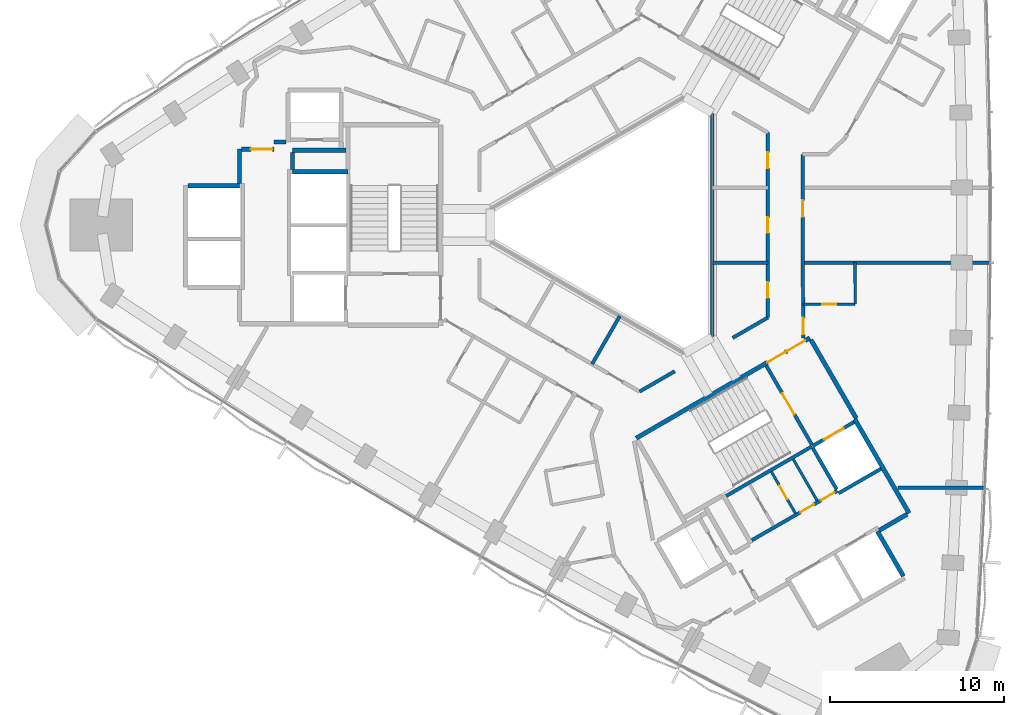
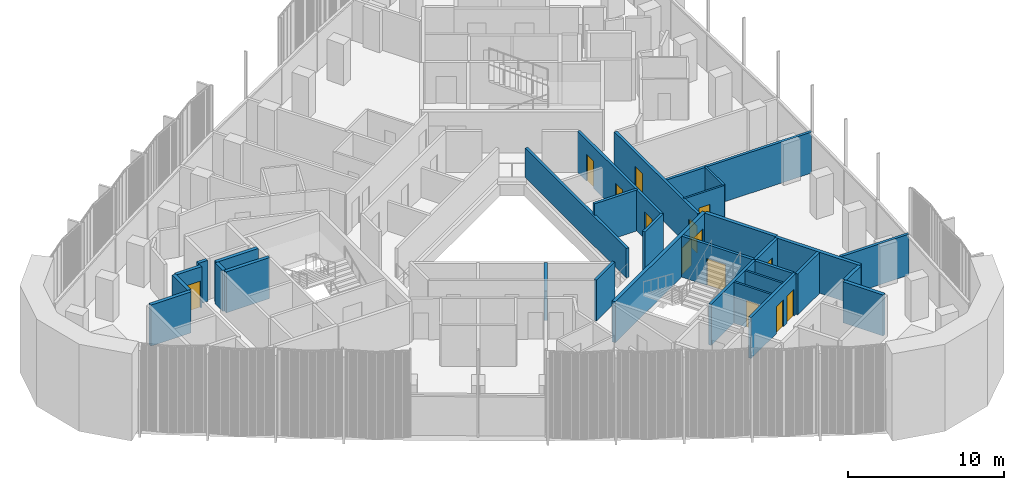
# One storey, part 9 of 15: 31 walls, 14 doors, 14 openings.
"""IFC4 building model written with IfcOpenShell, lengths in metres."""

import ifcopenshell
import ifcopenshell.guid

model = None  # the IFC model being written
_history = None  # IfcOwnerHistory: only IFC2X3 demands one
_inside = {}  # id of a spatial element -> (the spatial element, [elements in it])
_under = {}  # id of a project, library or spatial element -> (it, [spatial elements below it])
_declared = {}  # id of a project -> (the project, [libraries it declares])
_typed = {}  # id of a type object -> (the type object, [elements of that type])
_made_of = {}  # id of a material, layer set ... -> (it, [elements and type objects made of it])


def new_model(schema):
    """Start an empty IFC model of exactly this schema.

    Asked for "IFC4X3", IfcOpenShell would pick the latest addendum, in which some entities
    have other attributes; the version numbers below select the first issue.
    IFC2X3 requires an IfcOwnerHistory on every rooted entity: one is made here for all.
    """
    global model, _history
    if schema == "IFC4X3":
        model = ifcopenshell.file(schema_version=(4, 3, 0, 0))
    else:
        model = ifcopenshell.file(schema=schema)
    _inside.clear()
    _under.clear()
    _declared.clear()
    _typed.clear()
    _made_of.clear()
    _history = None
    if model.schema == "IFC2X3":
        org = make("IfcOrganization", Name="unknown")
        user = make(
            "IfcPersonAndOrganization",
            ThePerson=make("IfcPerson", FamilyName="unknown"),
            TheOrganization=org,
        )
        app = make(
            "IfcApplication",
            ApplicationDeveloper=org,
            Version="unknown",
            ApplicationFullName="unknown",
            ApplicationIdentifier="unknown",
        )
        _history = make(
            "IfcOwnerHistory",
            OwningUser=user,
            OwningApplication=app,
            ChangeAction="ADDED",
            CreationDate=0,
        )
    return model


def make(cls, **values):
    """One entity of the class cls with the attributes given. An attribute that is None is left unset."""
    return model.create_entity(
        cls, **{name: value for name, value in values.items() if value is not None}
    )


def rooted(cls, **values):
    """An entity with a GlobalId (a new one), such as an element, a storey or a relation."""
    return make(cls, GlobalId=ifcopenshell.guid.new(), OwnerHistory=_history, **values)


def si_unit(unit_type, name, prefix=None):
    """IfcSIUnit, for example si_unit("LENGTHUNIT", "METRE", prefix="MILLI")."""
    return make("IfcSIUnit", UnitType=unit_type, Prefix=prefix, Name=name)


def assignment(units):
    """IfcUnitAssignment: the units of a project."""
    return None if units is None else make("IfcUnitAssignment", Units=units)


def point(xyz):
    """IfcCartesianPoint."""
    return None if xyz is None else make("IfcCartesianPoint", Coordinates=xyz)


def direction(xyz):
    """IfcDirection."""
    return None if xyz is None else make("IfcDirection", DirectionRatios=xyz)


def frame(location, z_axis=None, x_axis=None):
    """IfcAxis2Placement3D, a coordinate frame: its origin and axes. An axis left out is left unset."""
    return make(
        "IfcAxis2Placement3D",
        Location=point(location),
        Axis=direction(z_axis),
        RefDirection=direction(x_axis),
    )


def frame_2d(location, x_axis=None):
    """IfcAxis2Placement2D, a coordinate frame in the plane: its origin and x axis."""
    return make(
        "IfcAxis2Placement2D", Location=point(location), RefDirection=direction(x_axis)
    )


def origin():
    """The frame at (0, 0, 0) with its axes left unset."""
    return frame((0.0, 0.0, 0.0))


def place(relative_to, where):
    """IfcLocalPlacement: puts the frame where relative to a parent placement (None: the world)."""
    return make(
        "IfcLocalPlacement", PlacementRelTo=relative_to, RelativePlacement=where
    )


def context(
    kind, dimensions, precision=None, world=None, true_north=None, identifier=None
):
    """IfcGeometricRepresentationContext, for example the 3D "Model" context."""
    return make(
        "IfcGeometricRepresentationContext",
        ContextIdentifier=identifier,
        ContextType=kind,
        CoordinateSpaceDimension=dimensions,
        Precision=precision,
        WorldCoordinateSystem=world,
        TrueNorth=true_north,
    )


def subcontext(parent, identifier, kind, view, scale=None):
    """IfcGeometricRepresentationSubContext, for example "Body" below "Model"."""
    return make(
        "IfcGeometricRepresentationSubContext",
        ContextIdentifier=identifier,
        ContextType=kind,
        ParentContext=parent,
        TargetScale=scale,
        TargetView=view,
    )


def project(units=None, contexts=None):
    """IfcProject with its units and contexts."""
    return rooted(
        "IfcProject",
        Name="project",
        RepresentationContexts=contexts,
        UnitsInContext=assignment(units),
    )


def spatial(cls, under=None, at=None, **own):
    """A site, building, storey or space (cls), placed at a placement, below another one or the project."""
    s = rooted(cls, ObjectPlacement=at, **own)
    if under is not None:
        _under.setdefault(under.id(), (under, []))[1].append(s)
    return s


def profile(cls, at=None, kind="AREA", **sizes):
    """A parametric profile (cls). Its sizes go by their IFC names, for example OverallWidth=200.0."""
    return make(cls, ProfileType=kind, Position=at, **sizes)


def rectangle(**sizes):
    """IfcRectangleProfileDef."""
    return profile("IfcRectangleProfileDef", **sizes)


def extrude(swept, where, along, depth):
    """IfcExtrudedAreaSolid: the profile swept, set in the frame where, extruded along a direction by depth."""
    return make(
        "IfcExtrudedAreaSolid",
        SweptArea=swept,
        Position=where,
        ExtrudedDirection=direction(along),
        Depth=depth,
    )


def shape(context_of_items, identifier, shape_type, items):
    """IfcShapeRepresentation: the items that make up one representation, for example the "Body"."""
    return make(
        "IfcShapeRepresentation",
        ContextOfItems=context_of_items,
        RepresentationIdentifier=identifier,
        RepresentationType=shape_type,
        Items=items,
    )


def material(Name=None, Category=None):
    """IfcMaterial."""
    return make("IfcMaterial", Name=Name, Category=Category)


def layer(
    of_material, thickness, ventilated=None, Name=None, Category=None, Priority=None
):
    """IfcMaterialLayer: one layer of a wall or slab, of a material (None: an air gap)."""
    return make(
        "IfcMaterialLayer",
        Material=of_material,
        LayerThickness=thickness,
        IsVentilated=ventilated,
        Name=Name,
        Category=Category,
        Priority=Priority,
    )


def layer_set(layers, Name=None):
    """IfcMaterialLayerSet."""
    return make("IfcMaterialLayerSet", MaterialLayers=layers, LayerSetName=Name)


def made_of(thing, what):
    """Note that an element or type object is made of a material, layer set ...; save() writes the relation."""
    if what is not None:
        _made_of.setdefault(what.id(), (what, []))[1].append(thing)
    return thing


def type_object(cls, material=None, **own):
    """A type object (cls), such as IfcWallType, which elements share."""
    return made_of(rooted(cls, **own), material)


def element(
    cls,
    number,
    at=None,
    inside=None,
    cuts=None,
    type_object=None,
    material=None,
    context=None,
    identifier="Body",
    shape_type=None,
    held_by="IfcProductDefinitionShape",
    body=None,
    shapes=None,
    **own,
):
    """One element of the class cls, such as IfcWall. Its Tag is "e" and its number.

    at: its placement. inside: the storey or other place that contains it. cuts: it is an
    opening in that element (IfcRelVoidsElement). A single representation is given by context,
    identifier, shape_type and body (its items); several are given by shapes. held_by: the class
    of the entity that holds the representations. save() writes the other relations.
    """
    e = rooted(cls, Tag="e%d" % number, ObjectPlacement=at, **own)
    if body is not None:
        shapes = [shape(context, identifier, shape_type, body)]
    if shapes is not None:
        e.Representation = make(held_by, Representations=shapes)
    if inside is not None:
        _inside.setdefault(inside.id(), (inside, []))[1].append(e)
    if cuts is not None:
        rooted(
            "IfcRelVoidsElement", RelatingBuildingElement=cuts, RelatedOpeningElement=e
        )
    if type_object is not None:
        _typed.setdefault(type_object.id(), (type_object, []))[1].append(e)
    return made_of(e, material)


def fill(opening, filler):
    """IfcRelFillsElement: the door or window that sits in an opening."""
    return rooted(
        "IfcRelFillsElement",
        RelatingOpeningElement=opening,
        RelatedBuildingElement=filler,
    )


def aggregate(whole, parts):
    """IfcRelAggregates: a whole, such as a stair, and the parts it consists of."""
    return rooted("IfcRelAggregates", RelatingObject=whole, RelatedObjects=parts)


def save(model, path):
    """Write the relations noted so far, then the file.

    IfcRelAggregates (storeys below a building ...), IfcRelContainedInSpatialStructure (elements
    in a storey), IfcRelDefinesByType, IfcRelAssociatesMaterial and IfcRelDeclares: one each for
    every whole, place, type object, material and project.
    """
    for whole, parts in _under.values():
        aggregate(whole, parts)
    for where, things in _inside.values():
        rooted(
            "IfcRelContainedInSpatialStructure",
            RelatedElements=things,
            RelatingStructure=where,
        )
    for kind, things in _typed.values():
        rooted("IfcRelDefinesByType", RelatedObjects=things, RelatingType=kind)
    for what, things in _made_of.values():
        rooted("IfcRelAssociatesMaterial", RelatedObjects=things, RelatingMaterial=what)
    for by, libraries in _declared.values():
        rooted("IfcRelDeclares", RelatingContext=by, RelatedDefinitions=libraries)
    model.write(path)


model = new_model("IFC4")

# Units and contexts
model_context = context("Model", 3, precision=1e-05, world=origin(), true_north=direction((0.0, 1.0)))
body_context = subcontext(model_context, "Body", "Model", "MODEL_VIEW")
ifc_project = project(units=[si_unit("LENGTHUNIT", "METRE"), si_unit("AREAUNIT", "SQUARE_METRE"), si_unit("VOLUMEUNIT", "CUBIC_METRE"), si_unit("PLANEANGLEUNIT", "RADIAN"), si_unit("MASSUNIT", "GRAM", prefix="KILO")], contexts=[model_context])

# Site, building, storey
site_placement = place(None, origin())
site = spatial("IfcSite", under=ifc_project, at=site_placement, CompositionType="ELEMENT")
building_placement = place(site_placement, origin())
building = spatial("IfcBuilding", under=site, at=building_placement, Name="Tamra Quay Hotel Tower", CompositionType="ELEMENT")
storey_placement = place(building_placement, frame((0.0, 0.0, 157.60009765625)))
storey = spatial("IfcBuildingStorey", under=building, at=storey_placement, Name="L39", CompositionType="ELEMENT", Elevation=157.60009765625)

# Wall
ifc_material_1 = material(Name="Concrete M70", Category="concrete")
ifc_layer_1 = layer(ifc_material_1, 0.199951171875)
ifc_layer_set_1 = layer_set([ifc_layer_1], Name="Concrete M70 core wall 200")
wall_type_1 = type_object("IfcWallType", Name="Concrete M70 core wall 200", PredefinedType="SHEAR", material=ifc_layer_set_1)
wall_1_placement = place(storey_placement, frame((10.537841796875, -12.751953125, 0.0), z_axis=(0.0, 0.0, 1.0), x_axis=(-0.866038630372, -0.499977090179, 0.0)))
element("IfcWall", 1, at=wall_1_placement, inside=storey, type_object=wall_type_1, Name="CW2", PredefinedType="SHEAR", context=body_context, shape_type="SweptSolid", body=[
    extrude(rectangle(XDim=5.698974609375, YDim=0.199951171875, at=frame_2d((2.849609375, 0.0))), origin(), (0.0, 0.0, 1.0), 3.199951171875),
])

# Wall, openings, doors
wall_2_placement = place(storey_placement, frame((7.0771484375, -18.156005859375, 0.0), z_axis=(0.0, 0.0, 1.0), x_axis=(0.866038630372, 0.499977090179, 0.0)))
wall_2 = element("IfcWall", 2, at=wall_2_placement, inside=storey, type_object=wall_type_1, Name="CW2", PredefinedType="SHEAR", context=body_context, shape_type="SweptSolid", body=[
    extrude(rectangle(XDim=5.698974609375, YDim=0.199951171875, at=frame_2d((2.849609375, 0.0))), origin(), (0.0, 0.0, 1.0), 3.199951171875),
])
opening_1_placement = place(wall_2_placement, frame((3.22412109375, 0.0, 0.0)))
opening_1 = element("IfcOpeningElement", 3, at=opening_1_placement, cuts=wall_2, Name="Opening D2", PredefinedType="OPENING", context=body_context, shape_type="SweptSolid", body=[
    extrude(rectangle(XDim=0.89990234375, YDim=2.10009765625, at=frame_2d((0.449951171875, 1.050048828125))), frame((0.0, 0.10986328125, 0.0), z_axis=(0.0, -1.0, 0.0), x_axis=(1.0, 0.0, 0.0)), (0.0, 0.0, 1.0), 0.219970703125),
])
opening_2_placement = place(wall_2_placement, frame((4.59912109375, 0.0, 0.0)))
opening_2 = element("IfcOpeningElement", 4, at=opening_2_placement, cuts=wall_2, Name="Opening D2", PredefinedType="OPENING", context=body_context, shape_type="SweptSolid", body=[
    extrude(rectangle(XDim=0.89990234375, YDim=2.10009765625, at=frame_2d((0.449951171875, 1.050048828125))), frame((0.0, 0.10986328125, 0.0), z_axis=(0.0, -1.0, 0.0), x_axis=(1.0, 0.0, 0.0)), (0.0, 0.0, 1.0), 0.219970703125),
])
ifc_material_2 = material(Name="Core door D2 900x2100 LH")
door_type_1 = type_object("IfcDoorType", Name="Core door D2 900x2100 LH", OperationType="NOTDEFINED", PredefinedType="DOOR", material=ifc_material_2)
door_1_placement = place(opening_1_placement, origin())
door_1 = element("IfcDoor", 5, at=door_1_placement, inside=storey, type_object=door_type_1, Name="D2", OperationType="SINGLE_SWING_LEFT", OverallHeight=2.10009765625, OverallWidth=0.89990234375, PredefinedType="DOOR", context=body_context, shape_type="SweptSolid", body=[
    extrude(rectangle(XDim=0.89990234375, YDim=2.10009765625, at=frame_2d((0.449951171875, 1.050048828125))), frame((0.0, 0.02490234375, 0.0), z_axis=(0.0, -1.0, 0.0), x_axis=(1.0, 0.0, 0.0)), (0.0, 0.0, 1.0), 0.050048828125),
])
fill(opening_1, door_1)
ifc_material_3 = material(Name="Core door D2 900x2100 RH")
door_type_2 = type_object("IfcDoorType", Name="Core door D2 900x2100 RH", OperationType="NOTDEFINED", PredefinedType="DOOR", material=ifc_material_3)
door_2_placement = place(opening_2_placement, origin())
door_2 = element("IfcDoor", 6, at=door_2_placement, inside=storey, type_object=door_type_2, Name="D2", OperationType="SINGLE_SWING_RIGHT", OverallHeight=2.10009765625, OverallWidth=0.89990234375, PredefinedType="DOOR", context=body_context, shape_type="SweptSolid", body=[
    extrude(rectangle(XDim=0.89990234375, YDim=2.10009765625, at=frame_2d((0.449951171875, 1.050048828125))), frame((0.0, 0.02490234375, 0.0), z_axis=(0.0, -1.0, 0.0), x_axis=(1.0, 0.0, 0.0)), (0.0, 0.0, 1.0), 0.050048828125),
])
fill(opening_2, door_2)

# Wall, opening, door
wall_3_placement = place(storey_placement, frame((7.906494140625, -8.094482421875, 0.0), z_axis=(0.0, 0.0, 1.0), x_axis=(0.500024287448, -0.866011380966, 0.0)))
wall_3 = element("IfcWall", 7, at=wall_3_placement, inside=storey, type_object=wall_type_1, Name="CW2", PredefinedType="SHEAR", context=body_context, shape_type="SweptSolid", body=[
    extrude(rectangle(XDim=5.251220703125, YDim=0.199951171875, at=frame_2d((2.62548828125, 0.0))), origin(), (0.0, 0.0, 1.0), 3.199951171875),
])
opening_3_placement = place(wall_3_placement, frame((1.84912109375, 0.0, 0.0)))
opening_3 = element("IfcOpeningElement", 8, at=opening_3_placement, cuts=wall_3, Name="Opening FD2", PredefinedType="OPENING", context=body_context, shape_type="SweptSolid", body=[
    extrude(rectangle(XDim=1.39990234375, YDim=2.10009765625, at=frame_2d((0.699951171875, 1.050048828125))), frame((0.0, 0.10986328125, 0.0), z_axis=(0.0, -1.0, 0.0), x_axis=(1.0, 0.0, 0.0)), (0.0, 0.0, 1.0), 0.219970703125),
])
ifc_material_4 = material(Name="Core door FD2 1400x2100 RH")
door_type_3 = type_object("IfcDoorType", Name="Core door FD2 1400x2100 RH", OperationType="NOTDEFINED", PredefinedType="DOOR", material=ifc_material_4)
door_3_placement = place(opening_3_placement, origin())
door_3 = element("IfcDoor", 9, at=door_3_placement, inside=storey, type_object=door_type_3, Name="FD2", OperationType="SINGLE_SWING_RIGHT", OverallHeight=2.10009765625, OverallWidth=1.39990234375, PredefinedType="DOOR", context=body_context, shape_type="SweptSolid", body=[
    extrude(rectangle(XDim=1.39990234375, YDim=2.10009765625, at=frame_2d((0.699951171875, 1.050048828125))), frame((0.0, 0.02490234375, 0.0), z_axis=(0.0, -1.0, 0.0), x_axis=(1.0, 0.0, 0.0)), (0.0, 0.0, 1.0), 0.050048828125),
])
fill(opening_3, door_3)

# Wall
wall_4_placement = place(storey_placement, frame((11.962646484375, -15.219970703125, 0.0), z_axis=(0.0, 0.0, 1.0), x_axis=(-0.500034990121, 0.866005201286, 0.0)))
element("IfcWall", 10, at=wall_4_placement, inside=storey, type_object=wall_type_1, Name="CW2", PredefinedType="SHEAR", context=body_context, shape_type="SweptSolid", body=[
    extrude(rectangle(XDim=2.749755859375, YDim=0.199951171875, at=frame_2d((1.375, 0.0))), origin(), (0.0, 0.0, 1.0), 3.199951171875),
])

# Wall, opening, door
wall_5_placement = place(storey_placement, frame((10.587158203125, -12.72314453125, 0.0), z_axis=(0.0, 0.0, 1.0), x_axis=(0.866037306777, 0.499979382845, 0.0)))
wall_5 = element("IfcWall", 11, at=wall_5_placement, inside=storey, type_object=wall_type_1, Name="CW2", PredefinedType="SHEAR", context=body_context, shape_type="SweptSolid", body=[
    extrude(rectangle(XDim=2.74169921875, YDim=0.199951171875, at=frame_2d((1.370849609375, 0.0))), origin(), (0.0, 0.0, 1.0), 3.199951171875),
])
opening_4_placement = place(wall_5_placement, frame((0.742919921875, 0.0, 0.0)))
opening_4 = element("IfcOpeningElement", 12, at=opening_4_placement, cuts=wall_5, Name="Opening LD", PredefinedType="OPENING", context=body_context, shape_type="SweptSolid", body=[
    extrude(rectangle(XDim=1.300048828125, YDim=2.10009765625, at=frame_2d((0.64990234375, 1.050048828125))), frame((0.0, 0.10986328125, 0.0), z_axis=(0.0, -1.0, 0.0), x_axis=(1.0, 0.0, 0.0)), (0.0, 0.0, 1.0), 0.219970703125),
])
ifc_material_5 = material(Name="Landing door LD 1300 sliding to right")
door_type_4 = type_object("IfcDoorType", Name="Landing door LD 1300 sliding to right", OperationType="NOTDEFINED", PredefinedType="DOOR", material=ifc_material_5)
door_4_placement = place(opening_4_placement, origin())
door_4 = element("IfcDoor", 13, at=door_4_placement, inside=storey, type_object=door_type_4, Name="LD", OperationType="SLIDING_TO_RIGHT", OverallHeight=2.10009765625, OverallWidth=1.300048828125, PredefinedType="DOOR", context=body_context, shape_type="SweptSolid", body=[
    extrude(rectangle(XDim=1.300048828125, YDim=2.10009765625, at=frame_2d((0.64990234375, 1.050048828125))), frame((0.0, 0.02490234375, 0.0), z_axis=(0.0, -1.0, 0.0), x_axis=(1.0, 0.0, 0.0)), (0.0, 0.0, 1.0), 0.050048828125),
])
fill(opening_4, door_4)

# Walls
wall_6_placement = place(storey_placement, frame((14.51171875, -14.037109375, 0.0), z_axis=(0.0, 0.0, 1.0), x_axis=(-0.866044696403, -0.499966582715, 0.0)))
element("IfcWall", 14, at=wall_6_placement, inside=storey, type_object=wall_type_1, Name="CW2", PredefinedType="SHEAR", context=body_context, shape_type="SweptSolid", body=[
    extrude(rectangle(XDim=2.799072265625, YDim=0.199951171875, at=frame_2d((1.3994140625, 0.0))), origin(), (0.0, 0.0, 1.0), 3.199951171875),
])
ifc_layer_2 = layer(ifc_material_1, 0.25)
ifc_layer_set_2 = layer_set([ifc_layer_2], Name="Concrete M70 core wall 250")
wall_type_2 = type_object("IfcWallType", Name="Concrete M70 core wall 250", PredefinedType="SHEAR", material=ifc_layer_set_2)
wall_7_placement = place(storey_placement, frame((-19.38720703125, 3.074951171875, 0.0), z_axis=(0.0, 0.0, 1.0), x_axis=(1.0, 0.0, 0.0)))
element("IfcWall", 15, at=wall_7_placement, inside=storey, type_object=wall_type_2, Name="CW1", PredefinedType="SHEAR", context=body_context, shape_type="SweptSolid", body=[
    extrude(rectangle(XDim=3.199951171875, YDim=0.25, at=frame_2d((1.60009765625, 0.0))), origin(), (0.0, 0.0, 1.0), 3.199951171875),
])
wall_8_placement = place(storey_placement, frame((-25.411865234375, 2.27490234375, 0.0), z_axis=(0.0, 0.0, 1.0), x_axis=(1.0, 0.0, 0.0)))
element("IfcWall", 16, at=wall_8_placement, inside=storey, type_object=wall_type_2, Name="CW1", PredefinedType="SHEAR", context=body_context, shape_type="SweptSolid", body=[
    extrude(rectangle(XDim=2.974609375, YDim=0.25, at=frame_2d((1.4873046875, 0.0))), origin(), (0.0, 0.0, 1.0), 3.199951171875),
])
wall_9_placement = place(storey_placement, frame((-16.30224609375, 4.31494140625, 0.0), z_axis=(0.0, 0.0, 1.0), x_axis=(-1.0, 0.0, 0.0)))
element("IfcWall", 17, at=wall_9_placement, inside=storey, type_object=wall_type_2, Name="CW1", PredefinedType="SHEAR", context=body_context, shape_type="SweptSolid", body=[
    extrude(rectangle(XDim=3.0849609375, YDim=0.25, at=frame_2d((1.54248046875, 0.0))), origin(), (0.0, 0.0, 1.0), 3.199951171875),
])
wall_10_placement = place(storey_placement, frame((-22.437255859375, 2.400390625, 0.0), z_axis=(0.0, 0.0, 1.0), x_axis=(0.0, 1.0, 0.0)))
element("IfcWall", 18, at=wall_10_placement, inside=storey, type_object=wall_type_2, Name="CW1", PredefinedType="SHEAR", context=body_context, shape_type="SweptSolid", body=[
    extrude(rectangle(XDim=1.974609375, YDim=0.25, at=frame_2d((0.9873046875, 0.0))), origin(), (0.0, 0.0, 1.0), 3.199951171875),
])

# Wall, opening, door
wall_11_placement = place(storey_placement, frame((-22.311767578125, 4.375, 0.0), z_axis=(0.0, 0.0, 1.0), x_axis=(1.0, 0.0, 0.0)))
wall_11 = element("IfcWall", 19, at=wall_11_placement, inside=storey, type_object=wall_type_2, Name="CW1", PredefinedType="SHEAR", context=body_context, shape_type="SweptSolid", body=[
    extrude(rectangle(XDim=1.864501953125, YDim=0.25, at=frame_2d((0.93212890625, 0.0))), origin(), (0.0, 0.0, 1.0), 3.199951171875),
])
opening_5_placement = place(wall_11_placement, frame((0.53466796875, 0.0, 0.0)))
opening_5 = element("IfcOpeningElement", 20, at=opening_5_placement, cuts=wall_11, Name="Opening FD3", PredefinedType="OPENING", context=body_context, shape_type="SweptSolid", body=[
    extrude(rectangle(XDim=1.25, YDim=2.10009765625, at=frame_2d((0.625, 1.050048828125))), frame((0.0, 0.135009765625, 0.0), z_axis=(0.0, -1.0, 0.0), x_axis=(1.0, 0.0, 0.0)), (0.0, 0.0, 1.0), 0.27001953125),
])
ifc_material_6 = material(Name="Core door FD3 1250x2100 LH")
door_type_5 = type_object("IfcDoorType", Name="Core door FD3 1250x2100 LH", OperationType="NOTDEFINED", PredefinedType="DOOR", material=ifc_material_6)
door_5_placement = place(opening_5_placement, origin())
door_5 = element("IfcDoor", 21, at=door_5_placement, inside=storey, type_object=door_type_5, Name="FD3", OperationType="SINGLE_SWING_LEFT", OverallHeight=2.10009765625, OverallWidth=1.25, PredefinedType="DOOR", context=body_context, shape_type="SweptSolid", body=[
    extrude(rectangle(XDim=1.25, YDim=2.10009765625, at=frame_2d((0.625, 1.050048828125))), frame((0.0, 0.02490234375, 0.0), z_axis=(0.0, -1.0, 0.0), x_axis=(1.0, 0.0, 0.0)), (0.0, 0.0, 1.0), 0.050048828125),
])
fill(opening_5, door_5)

# Walls
wall_12_placement = place(storey_placement, frame((-19.38720703125, 4.189697265625, 0.0), z_axis=(0.0, 0.0, 1.0), x_axis=(0.0, -1.0, 0.0)))
element("IfcWall", 22, at=wall_12_placement, inside=storey, type_object=wall_type_2, Name="CW1", PredefinedType="SHEAR", context=body_context, shape_type="SweptSolid", body=[
    extrude(rectangle(XDim=0.9892578125, YDim=0.25, at=frame_2d((0.49462890625, 0.0))), origin(), (0.0, 0.0, 1.0), 3.199951171875),
])
wall_13_placement = place(storey_placement, frame((-20.447265625, 4.784912109375, 0.0), z_axis=(0.0, 0.0, 1.0), x_axis=(1.0, 0.0, 0.0)))
element("IfcWall", 23, at=wall_13_placement, inside=storey, type_object=wall_type_2, Name="CW1", PredefinedType="SHEAR", context=body_context, shape_type="SweptSolid", body=[
    extrude(rectangle(XDim=0.6845703125, YDim=0.25, at=frame_2d((0.34228515625, 0.0))), origin(), (0.0, 0.0, 1.0), 3.199951171875),
])

# Wall, openings, doors
wall_14_placement = place(storey_placement, frame((0.417236328125, -12.27294921875, 0.0), z_axis=(0.0, 0.0, 1.0), x_axis=(0.866021906294, 0.500006057782, 0.0)))
wall_14 = element("IfcWall", 24, at=wall_14_placement, inside=storey, type_object=wall_type_2, Name="CW1", PredefinedType="SHEAR", context=body_context, shape_type="SweptSolid", body=[
    extrude(rectangle(XDim=11.550048828125, YDim=0.25, at=frame_2d((5.77490234375, 0.0))), origin(), (0.0, 0.0, 1.0), 3.199951171875),
])
opening_6_placement = place(wall_14_placement, frame((10.024658203125, 0.0, 0.0)))
opening_6 = element("IfcOpeningElement", 25, at=opening_6_placement, cuts=wall_14, Name="Opening FD1", PredefinedType="OPENING", context=body_context, shape_type="SweptSolid", body=[
    extrude(rectangle(XDim=1.199951171875, YDim=2.10009765625, at=frame_2d((0.60009765625, 1.050048828125))), frame((0.0, 0.135009765625, 0.0), z_axis=(0.0, -1.0, 0.0), x_axis=(1.0, 0.0, 0.0)), (0.0, 0.0, 1.0), 0.27001953125),
])
opening_7_placement = place(wall_14_placement, frame((8.724609375, 0.0, 0.0)))
opening_7 = element("IfcOpeningElement", 26, at=opening_7_placement, cuts=wall_14, Name="Opening FD1", PredefinedType="OPENING", context=body_context, shape_type="SweptSolid", body=[
    extrude(rectangle(XDim=1.199951171875, YDim=2.10009765625, at=frame_2d((0.60009765625, 1.050048828125))), frame((0.0, 0.135009765625, 0.0), z_axis=(0.0, -1.0, 0.0), x_axis=(1.0, 0.0, 0.0)), (0.0, 0.0, 1.0), 0.27001953125),
])
ifc_material_7 = material(Name="Core door FD1 1200x2100 LH")
door_type_6 = type_object("IfcDoorType", Name="Core door FD1 1200x2100 LH", OperationType="NOTDEFINED", PredefinedType="DOOR", material=ifc_material_7)
door_6_placement = place(opening_6_placement, origin())
door_6 = element("IfcDoor", 27, at=door_6_placement, inside=storey, type_object=door_type_6, Name="FD1", OperationType="SINGLE_SWING_LEFT", OverallHeight=2.10009765625, OverallWidth=1.199951171875, PredefinedType="DOOR", context=body_context, shape_type="SweptSolid", body=[
    extrude(rectangle(XDim=1.199951171875, YDim=2.10009765625, at=frame_2d((0.60009765625, 1.050048828125))), frame((0.0, 0.02490234375, 0.0), z_axis=(0.0, -1.0, 0.0), x_axis=(1.0, 0.0, 0.0)), (0.0, 0.0, 1.0), 0.050048828125),
])
fill(opening_6, door_6)
ifc_material_8 = material(Name="Core door FD1 1200x2100 RH")
door_type_7 = type_object("IfcDoorType", Name="Core door FD1 1200x2100 RH", OperationType="NOTDEFINED", PredefinedType="DOOR", material=ifc_material_8)
door_7_placement = place(opening_7_placement, origin())
door_7 = element("IfcDoor", 28, at=door_7_placement, inside=storey, type_object=door_type_7, Name="FD1", OperationType="SINGLE_SWING_RIGHT", OverallHeight=2.10009765625, OverallWidth=1.199951171875, PredefinedType="DOOR", context=body_context, shape_type="SweptSolid", body=[
    extrude(rectangle(XDim=1.199951171875, YDim=2.10009765625, at=frame_2d((0.60009765625, 1.050048828125))), frame((0.0, 0.02490234375, 0.0), z_axis=(0.0, -1.0, 0.0), x_axis=(1.0, 0.0, 0.0)), (0.0, 0.0, 1.0), 0.050048828125),
])
fill(opening_7, door_7)

# Walls
wall_15_placement = place(storey_placement, frame((13.00830078125, -11.18115234375, 0.0), z_axis=(0.0, 0.0, 1.0), x_axis=(0.500004234368, -0.866022959057, 0.0)))
element("IfcWall", 29, at=wall_15_placement, inside=storey, type_object=wall_type_2, Name="CW1", PredefinedType="SHEAR", context=body_context, shape_type="SweptSolid", body=[
    extrude(rectangle(XDim=6.25, YDim=0.25, at=frame_2d((3.125, 0.0))), origin(), (0.0, 0.0, 1.0), 3.199951171875),
])
wall_16_placement = place(storey_placement, frame((10.482666015625, -6.6064453125, 0.0), z_axis=(0.0, 0.0, 1.0), x_axis=(0.49999885962, -0.866026062182, 0.0)))
element("IfcWall", 30, at=wall_16_placement, inside=storey, type_object=wall_type_2, Name="CW1", PredefinedType="SHEAR", context=body_context, shape_type="SweptSolid", body=[
    extrude(rectangle(XDim=5.224609375, YDim=0.25, at=frame_2d((2.6123046875, 0.0))), origin(), (0.0, 0.0, 1.0), 3.199951171875),
])
wall_17_placement = place(storey_placement, frame((14.314697265625, -17.643798828125, 0.0), z_axis=(0.0, 0.0, 1.0), x_axis=(0.500023226632, -0.866011993467, 0.0)))
element("IfcWall", 31, at=wall_17_placement, inside=storey, type_object=wall_type_2, Name="CW1", PredefinedType="SHEAR", context=body_context, shape_type="SweptSolid", body=[
    extrude(rectangle(XDim=2.974365234375, YDim=0.25, at=frame_2d((1.4873046875, 0.0))), origin(), (0.0, 0.0, 1.0), 3.199951171875),
])
wall_18_placement = place(storey_placement, frame((16.024658203125, -16.656494140625, 0.0), z_axis=(0.0, 0.0, 1.0), x_axis=(-0.866016279763, -0.500015802937, 0.0)))
element("IfcWall", 32, at=wall_18_placement, inside=storey, type_object=wall_type_2, Name="CW1", PredefinedType="SHEAR", context=body_context, shape_type="SweptSolid", body=[
    extrude(rectangle(XDim=1.84912109375, YDim=0.25, at=frame_2d((0.924560546875, 0.0))), origin(), (0.0, 0.0, 1.0), 3.199951171875),
])

# Wall, opening, door
ifc_material_9 = material(Name="Blockwork", Category="masonry")
ifc_layer_3 = layer(ifc_material_9, 0.14990234375)
ifc_layer_set_3 = layer_set([ifc_layer_3], Name="Core partition block 150")
wall_type_3 = type_object("IfcWallType", Name="Core partition block 150", PredefinedType="PARTITIONING", material=ifc_layer_set_3)
wall_19_placement = place(storey_placement, frame((8.20654296875, -14.214111328125, 0.0), z_axis=(0.0, 0.0, 1.0), x_axis=(0.50002746344, -0.86600954718, 0.0)))
wall_19 = element("IfcWall", 33, at=wall_19_placement, inside=storey, type_object=wall_type_3, Name="CP1", PredefinedType="PARTITIONING", context=body_context, shape_type="SweptSolid", body=[
    extrude(rectangle(XDim=2.748291015625, YDim=0.14990234375, at=frame_2d((1.3740234375, 0.0))), origin(), (0.0, 0.0, 1.0), 3.199951171875),
])
opening_8_placement = place(wall_19_placement, frame((0.92431640625, 0.0, 0.0)))
opening_8 = element("IfcOpeningElement", 34, at=opening_8_placement, cuts=wall_19, Name="Opening D2", PredefinedType="OPENING", context=body_context, shape_type="SweptSolid", body=[
    extrude(rectangle(XDim=0.89990234375, YDim=2.10009765625, at=frame_2d((0.449951171875, 1.050048828125))), frame((0.0, 0.0849609375, 0.0), z_axis=(0.0, -1.0, 0.0), x_axis=(1.0, 0.0, 0.0)), (0.0, 0.0, 1.0), 0.169921875),
])
door_8_placement = place(opening_8_placement, origin())
door_8 = element("IfcDoor", 35, at=door_8_placement, inside=storey, type_object=door_type_2, Name="D2", OperationType="SINGLE_SWING_RIGHT", OverallHeight=2.10009765625, OverallWidth=0.89990234375, PredefinedType="DOOR", context=body_context, shape_type="SweptSolid", body=[
    extrude(rectangle(XDim=0.89990234375, YDim=2.10009765625, at=frame_2d((0.449951171875, 1.050048828125))), frame((0.0, 0.02490234375, 0.0), z_axis=(0.0, -1.0, 0.0), x_axis=(1.0, 0.0, 0.0)), (0.0, 0.0, 1.0), 0.050048828125),
])
fill(opening_8, door_8)

# Walls
wall_20_placement = place(storey_placement, frame((9.46240234375, -13.489013671875, 0.0), z_axis=(0.0, 0.0, 1.0), x_axis=(0.499988999718, -0.866031754707, 0.0)))
element("IfcWall", 36, at=wall_20_placement, inside=storey, type_object=wall_type_3, Name="CP1", PredefinedType="PARTITIONING", context=body_context, shape_type="SweptSolid", body=[
    extrude(rectangle(XDim=2.74853515625, YDim=0.14990234375, at=frame_2d((1.374267578125, 0.0))), origin(), (0.0, 0.0, 1.0), 3.199951171875),
])
ifc_material_10 = material(Name="Partition corridor wall")
ifc_layer_4 = layer(ifc_material_10, 0.199951171875)
ifc_layer_set_4 = layer_set([ifc_layer_4], Name="Partition corridor wall")
wall_type_4 = type_object("IfcWallType", Name="Partition corridor wall", PredefinedType="PARTITIONING", material=ifc_layer_set_4)
wall_21_placement = place(storey_placement, frame((0.611083984375, -9.58935546875, 0.0), z_axis=(0.0, 0.0, 1.0), x_axis=(0.866220316572, 0.499662249082, 0.0)))
element("IfcWall", 37, at=wall_21_placement, inside=storey, type_object=wall_type_4, Name="W-C", PredefinedType="PARTITIONING", context=body_context, shape_type="SweptSolid", body=[
    extrude(rectangle(XDim=2.34033203125, YDim=0.199951171875, at=frame_2d((1.170166015625, 0.0))), origin(), (0.0, 0.0, 1.0), 3.199951171875),
])
wall_22_placement = place(storey_placement, frame((5.972900390625, -6.49609375, 0.0), z_axis=(0.0, 0.0, 1.0), x_axis=(0.866175166619, 0.4997405134, 0.0)))
element("IfcWall", 38, at=wall_22_placement, inside=storey, type_object=wall_type_4, Name="W-C", PredefinedType="PARTITIONING", context=body_context, shape_type="SweptSolid", body=[
    extrude(rectangle(XDim=2.340576171875, YDim=0.199951171875, at=frame_2d((1.17041015625, 0.0))), origin(), (0.0, 0.0, 1.0), 3.199951171875),
])

# Wall, openings, doors
wall_23_placement = place(storey_placement, frame((8.0, -5.325927734375, 0.0), z_axis=(0.0, 0.0, 1.0), x_axis=(0.0, 1.0, 0.0)))
wall_23 = element("IfcWall", 39, at=wall_23_placement, inside=storey, type_object=wall_type_4, Name="W-C", PredefinedType="PARTITIONING", context=body_context, shape_type="SweptSolid", body=[
    extrude(rectangle(XDim=10.65185546875, YDim=0.199951171875, at=frame_2d((5.325927734375, 0.0))), origin(), (0.0, 0.0, 1.0), 3.199951171875),
])
opening_9_placement = place(wall_23_placement, frame((1.138427734375, 0.0, 0.0)))
opening_9 = element("IfcOpeningElement", 40, at=opening_9_placement, cuts=wall_23, Name="Opening L39-D024", PredefinedType="OPENING", context=body_context, shape_type="SweptSolid", body=[
    extrude(rectangle(XDim=0.89990234375, YDim=2.10009765625, at=frame_2d((0.449951171875, 1.050048828125))), frame((0.0, 0.10986328125, 0.0), z_axis=(0.0, -1.0, 0.0), x_axis=(1.0, 0.0, 0.0)), (0.0, 0.0, 1.0), 0.219970703125),
])
opening_10_placement = place(wall_23_placement, frame((4.8759765625, 0.0, 0.0)))
opening_10 = element("IfcOpeningElement", 41, at=opening_10_placement, cuts=wall_23, Name="Opening L39-D025", PredefinedType="OPENING", context=body_context, shape_type="SweptSolid", body=[
    extrude(rectangle(XDim=0.89990234375, YDim=2.10009765625, at=frame_2d((0.449951171875, 1.050048828125))), frame((0.0, 0.10986328125, 0.0), z_axis=(0.0, -1.0, 0.0), x_axis=(1.0, 0.0, 0.0)), (0.0, 0.0, 1.0), 0.219970703125),
])
opening_11_placement = place(wall_23_placement, frame((8.613525390625, 0.0, 0.0)))
opening_11 = element("IfcOpeningElement", 42, at=opening_11_placement, cuts=wall_23, Name="Opening L39-D026", PredefinedType="OPENING", context=body_context, shape_type="SweptSolid", body=[
    extrude(rectangle(XDim=0.89990234375, YDim=2.10009765625, at=frame_2d((0.449951171875, 1.050048828125))), frame((0.0, 0.10986328125, 0.0), z_axis=(0.0, -1.0, 0.0), x_axis=(1.0, 0.0, 0.0)), (0.0, 0.0, 1.0), 0.219970703125),
])
ifc_material_11 = material(Name="Door service room 900x2100")
door_type_8 = type_object("IfcDoorType", Name="Door service room 900x2100", OperationType="NOTDEFINED", PredefinedType="DOOR", material=ifc_material_11)
door_9_placement = place(opening_9_placement, origin())
door_9 = element("IfcDoor", 43, at=door_9_placement, inside=storey, type_object=door_type_8, Name="L39-D024", OperationType="SINGLE_SWING_LEFT", OverallHeight=2.10009765625, OverallWidth=0.89990234375, PredefinedType="DOOR", context=body_context, shape_type="SweptSolid", body=[
    extrude(rectangle(XDim=0.89990234375, YDim=2.10009765625, at=frame_2d((0.449951171875, 1.050048828125))), frame((0.0, 0.02490234375, 0.0), z_axis=(0.0, -1.0, 0.0), x_axis=(1.0, 0.0, 0.0)), (0.0, 0.0, 1.0), 0.050048828125),
])
fill(opening_9, door_9)
door_10_placement = place(opening_10_placement, origin())
door_10 = element("IfcDoor", 44, at=door_10_placement, inside=storey, type_object=door_type_8, Name="L39-D025", OperationType="SINGLE_SWING_LEFT", OverallHeight=2.10009765625, OverallWidth=0.89990234375, PredefinedType="DOOR", context=body_context, shape_type="SweptSolid", body=[
    extrude(rectangle(XDim=0.89990234375, YDim=2.10009765625, at=frame_2d((0.449951171875, 1.050048828125))), frame((0.0, 0.02490234375, 0.0), z_axis=(0.0, -1.0, 0.0), x_axis=(1.0, 0.0, 0.0)), (0.0, 0.0, 1.0), 0.050048828125),
])
fill(opening_10, door_10)
door_11_placement = place(opening_11_placement, origin())
door_11 = element("IfcDoor", 45, at=door_11_placement, inside=storey, type_object=door_type_8, Name="L39-D026", OperationType="SINGLE_SWING_LEFT", OverallHeight=2.10009765625, OverallWidth=0.89990234375, PredefinedType="DOOR", context=body_context, shape_type="SweptSolid", body=[
    extrude(rectangle(XDim=0.89990234375, YDim=2.10009765625, at=frame_2d((0.449951171875, 1.050048828125))), frame((0.0, 0.02490234375, 0.0), z_axis=(0.0, -1.0, 0.0), x_axis=(1.0, 0.0, 0.0)), (0.0, 0.0, 1.0), 0.050048828125),
])
fill(opening_11, door_11)

wall_24_placement = place(storey_placement, frame((9.99951171875, 4.077880859375, 0.0), z_axis=(0.0, 0.0, 1.0), x_axis=(0.003070798941, -0.999995285086, 0.0)))
wall_24 = element("IfcWall", 46, at=wall_24_placement, inside=storey, type_object=wall_type_4, Name="W-C", PredefinedType="PARTITIONING", context=body_context, shape_type="SweptSolid", body=[
    extrude(rectangle(XDim=10.573974609375, YDim=0.199951171875, at=frame_2d((5.287109375, 0.0))), origin(), (0.0, 0.0, 1.0), 3.199951171875),
])
opening_12_placement = place(wall_24_placement, frame((9.424072265625, 0.0, 0.0)))
opening_12 = element("IfcOpeningElement", 47, at=opening_12_placement, cuts=wall_24, Name="Opening L39-D001", PredefinedType="OPENING", context=body_context, shape_type="SweptSolid", body=[
    extrude(rectangle(XDim=0.949951171875, YDim=2.10009765625, at=frame_2d((0.47509765625, 1.050048828125))), frame((0.0, 0.10986328125, 0.0), z_axis=(0.0, -1.0, 0.0), x_axis=(1.0, 0.0, 0.0)), (0.0, 0.0, 1.0), 0.219970703125),
])
opening_13_placement = place(wall_24_placement, frame((2.65087890625, 0.0, 0.0)))
opening_13 = element("IfcOpeningElement", 48, at=opening_13_placement, cuts=wall_24, Name="Opening L39-D003", PredefinedType="OPENING", context=body_context, shape_type="SweptSolid", body=[
    extrude(rectangle(XDim=0.949951171875, YDim=2.10009765625, at=frame_2d((0.47509765625, 1.050048828125))), frame((0.0, 0.10986328125, 0.0), z_axis=(0.0, -1.0, 0.0), x_axis=(1.0, 0.0, 0.0)), (0.0, 0.0, 1.0), 0.219970703125),
])
ifc_material_12 = material(Name="Door guest room 950x2100")
door_type_9 = type_object("IfcDoorType", Name="Door guest room 950x2100", OperationType="NOTDEFINED", PredefinedType="DOOR", material=ifc_material_12)
door_12_placement = place(opening_12_placement, origin())
door_12 = element("IfcDoor", 49, at=door_12_placement, inside=storey, type_object=door_type_9, Name="L39-D001", OperationType="SINGLE_SWING_LEFT", OverallHeight=2.10009765625, OverallWidth=0.949951171875, PredefinedType="DOOR", context=body_context, shape_type="SweptSolid", body=[
    extrude(rectangle(XDim=0.949951171875, YDim=2.10009765625, at=frame_2d((0.47509765625, 1.050048828125))), frame((0.0, 0.02490234375, 0.0), z_axis=(0.0, -1.0, 0.0), x_axis=(1.0, 0.0, 0.0)), (0.0, 0.0, 1.0), 0.050048828125),
])
fill(opening_12, door_12)
door_13_placement = place(opening_13_placement, origin())
door_13 = element("IfcDoor", 50, at=door_13_placement, inside=storey, type_object=door_type_9, Name="L39-D003", OperationType="SINGLE_SWING_LEFT", OverallHeight=2.10009765625, OverallWidth=0.949951171875, PredefinedType="DOOR", context=body_context, shape_type="SweptSolid", body=[
    extrude(rectangle(XDim=0.949951171875, YDim=2.10009765625, at=frame_2d((0.47509765625, 1.050048828125))), frame((0.0, 0.02490234375, 0.0), z_axis=(0.0, -1.0, 0.0), x_axis=(1.0, 0.0, 0.0)), (0.0, 0.0, 1.0), 0.050048828125),
])
fill(opening_13, door_13)

# Wall, opening, door
ifc_material_13 = material(Name="Partition en-suite wall")
ifc_layer_5 = layer(ifc_material_13, 0.14990234375)
ifc_layer_set_5 = layer_set([ifc_layer_5], Name="Partition en-suite wall")
wall_type_5 = type_object("IfcWallType", Name="Partition en-suite wall", PredefinedType="PARTITIONING", material=ifc_layer_set_5)
wall_25_placement = place(storey_placement, frame((10.027099609375, -4.56103515625, 0.0), z_axis=(0.0, 0.0, 1.0), x_axis=(0.999995457159, 0.003014242926, 0.0)))
wall_25 = element("IfcWall", 51, at=wall_25_placement, inside=storey, type_object=wall_type_5, Name="W-E", PredefinedType="PARTITIONING", context=body_context, shape_type="SweptSolid", body=[
    extrude(rectangle(XDim=2.996826171875, YDim=0.14990234375, at=frame_2d((1.49853515625, 0.0))), origin(), (0.0, 0.0, 1.0), 3.199951171875),
])
opening_14_placement = place(wall_25_placement, frame((1.09912109375, 0.0, 0.0)))
opening_14 = element("IfcOpeningElement", 52, at=opening_14_placement, cuts=wall_25, Name="Opening L39-D002", PredefinedType="OPENING", context=body_context, shape_type="SweptSolid", body=[
    extrude(rectangle(XDim=0.800048828125, YDim=2.10009765625, at=frame_2d((0.39990234375, 1.050048828125))), frame((0.0, 0.0849609375, 0.0), z_axis=(0.0, -1.0, 0.0), x_axis=(1.0, 0.0, 0.0)), (0.0, 0.0, 1.0), 0.169921875),
])
ifc_material_14 = material(Name="Door en-suite 800x2100")
door_type_10 = type_object("IfcDoorType", Name="Door en-suite 800x2100", OperationType="NOTDEFINED", PredefinedType="DOOR", material=ifc_material_14)
door_14_placement = place(opening_14_placement, frame((0.800048828125, 0.0, 0.0), z_axis=(0.0, 0.0, 1.0), x_axis=(-1.0, 0.0, 0.0)))
door_14 = element("IfcDoor", 53, at=door_14_placement, inside=storey, type_object=door_type_10, Name="L39-D002", OperationType="SINGLE_SWING_LEFT", OverallHeight=2.10009765625, OverallWidth=0.800048828125, PredefinedType="DOOR", context=body_context, shape_type="SweptSolid", body=[
    extrude(rectangle(XDim=0.800048828125, YDim=2.10009765625, at=frame_2d((0.39990234375, 1.050048828125))), frame((0.0, 0.02490234375, 0.0), z_axis=(0.0, -1.0, 0.0), x_axis=(1.0, 0.0, 0.0)), (0.0, 0.0, 1.0), 0.050048828125),
])
fill(opening_14, door_14)

# Walls
wall_26_placement = place(storey_placement, frame((13.01904296875, -2.160888671875, 0.0), z_axis=(0.0, 0.0, 1.0), x_axis=(0.002861218617, -0.999995906706, 0.0)))
element("IfcWall", 54, at=wall_26_placement, inside=storey, type_object=wall_type_5, Name="W-E", PredefinedType="PARTITIONING", context=body_context, shape_type="SweptSolid", body=[
    extrude(rectangle(XDim=2.38916015625, YDim=0.14990234375, at=frame_2d((1.194580078125, 0.0))), origin(), (0.0, 0.0, 1.0), 3.199951171875),
])
ifc_material_15 = material(Name="Partition party wall")
ifc_layer_6 = layer(ifc_material_15, 0.199951171875)
ifc_layer_set_6 = layer_set([ifc_layer_6], Name="Partition party wall")
wall_type_6 = type_object("IfcWallType", Name="Partition party wall", PredefinedType="PARTITIONING", material=ifc_layer_set_6)
wall_27_placement = place(storey_placement, frame((-2.128173828125, -8.009033203125, 0.0), z_axis=(0.0, 0.0, 1.0), x_axis=(0.499986558861, 0.866033163891, 0.0)))
element("IfcWall", 55, at=wall_27_placement, inside=storey, type_object=wall_type_6, Name="W-P", PredefinedType="PARTITIONING", context=body_context, shape_type="SweptSolid", body=[
    extrude(rectangle(XDim=3.20068359375, YDim=0.199951171875, at=frame_2d((1.600341796875, 0.0))), origin(), (0.0, 0.0, 1.0), 2.2998046875),
])
wall_28_placement = place(storey_placement, frame((4.800048828125, -6.466064453125, 0.0), z_axis=(0.0, 0.0, 1.0), x_axis=(0.0, 1.0, 0.0)))
element("IfcWall", 56, at=wall_28_placement, inside=storey, type_object=wall_type_6, Name="W-P", PredefinedType="PARTITIONING", context=body_context, shape_type="SweptSolid", body=[
    extrude(rectangle(XDim=12.93212890625, YDim=0.199951171875, at=frame_2d((6.466064453125, 0.0))), origin(), (0.0, 0.0, 1.0), 2.2998046875),
])
wall_29_placement = place(storey_placement, frame((4.800048828125, -2.160888671875, 0.0), z_axis=(0.0, 0.0, 1.0), x_axis=(1.0, 0.0, 0.0)))
element("IfcWall", 57, at=wall_29_placement, inside=storey, type_object=wall_type_6, Name="W-P", PredefinedType="PARTITIONING", context=body_context, shape_type="SweptSolid", body=[
    extrude(rectangle(XDim=3.199951171875, YDim=0.199951171875, at=frame_2d((1.60009765625, 0.0))), origin(), (0.0, 0.0, 1.0), 3.199951171875),
])
wall_30_placement = place(storey_placement, frame((10.01904296875, -2.160888671875, 0.0), z_axis=(0.0, 0.0, 1.0), x_axis=(1.0, 0.0, 0.0)))
element("IfcWall", 58, at=wall_30_placement, inside=storey, type_object=wall_type_6, Name="W-P", PredefinedType="PARTITIONING", context=body_context, shape_type="SweptSolid", body=[
    extrude(rectangle(XDim=10.795654296875, YDim=0.199951171875, at=frame_2d((5.39794921875, 0.0))), origin(), (0.0, 0.0, 1.0), 3.199951171875),
])
wall_31_placement = place(storey_placement, frame((15.498291015625, -15.1240234375, 0.0), z_axis=(0.0, 0.0, 1.0), x_axis=(1.0, 0.0, 0.0)))
element("IfcWall", 59, at=wall_31_placement, inside=storey, type_object=wall_type_6, Name="W-P", PredefinedType="PARTITIONING", context=body_context, shape_type="SweptSolid", body=[
    extrude(rectangle(XDim=5.007568359375, YDim=0.199951171875, at=frame_2d((2.50390625, 0.0))), origin(), (0.0, 0.0, 1.0), 3.199951171875),
])

save(model, "model.ifc")
